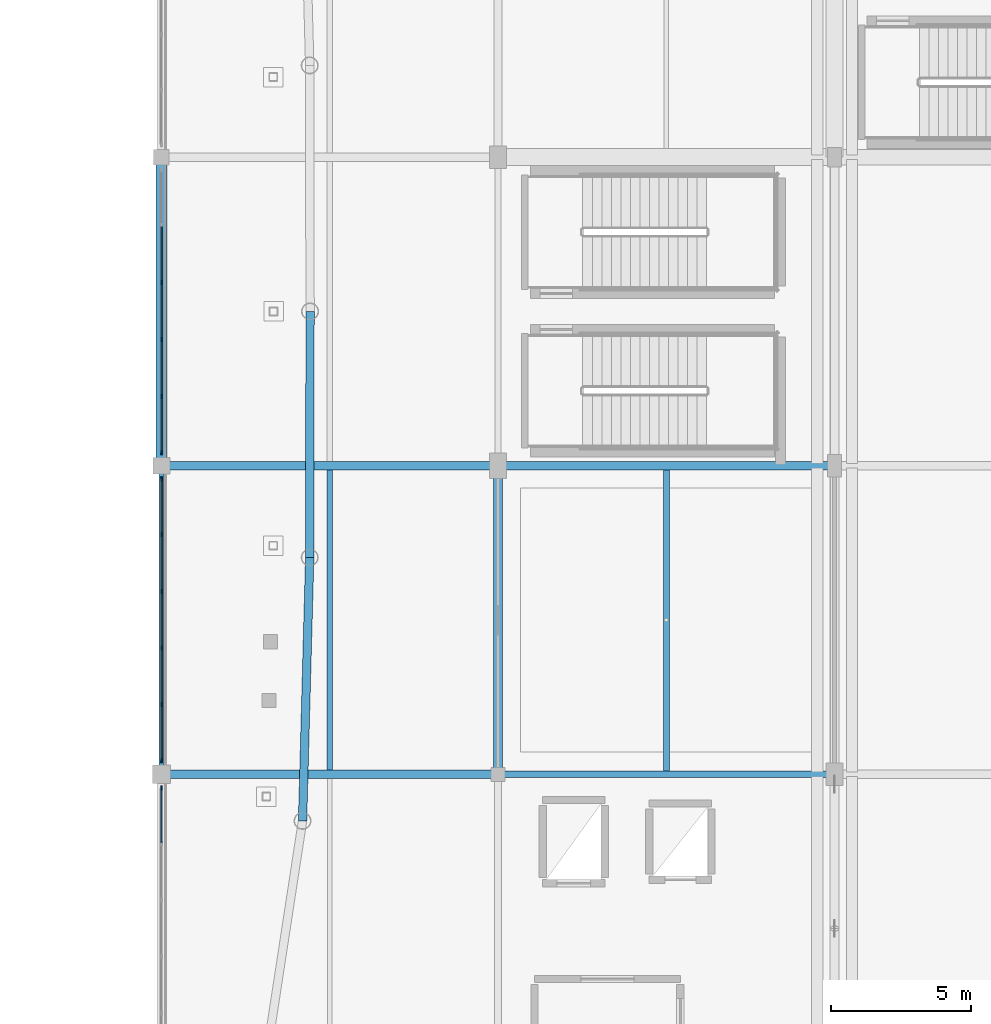
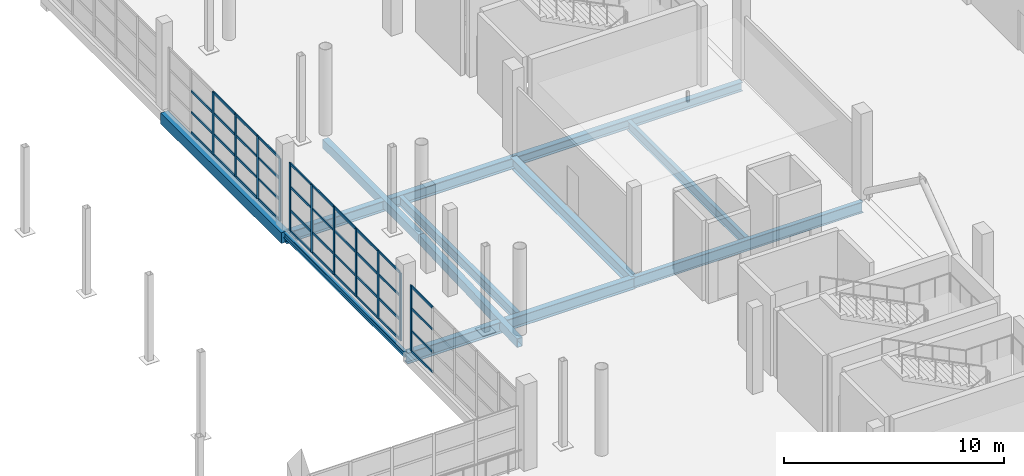
# One storey, part 59 of 143: 50 members, 11 beams, 3 elements without a shape of their own.
"""IFC4 building model written with IfcOpenShell, lengths in metres."""

from ifc_helpers import new_model, si_unit, direction, frame, origin, origin_2d, place, context, subcontext, project, spatial, rectangle, hollow_rectangle, i_section, extrude, material, material_profile, profile_set, type_object, element, aggregate, save


model = new_model("IFC4")

# Units and contexts
model_context = context("Model", 3, precision=1e-05, world=origin(), true_north=direction((0.0, 1.0)))
body_context = subcontext(model_context, "Body", "Model", "MODEL_VIEW")
ifc_project = project(units=[si_unit("LENGTHUNIT", "METRE"), si_unit("AREAUNIT", "SQUARE_METRE"), si_unit("VOLUMEUNIT", "CUBIC_METRE"), si_unit("PLANEANGLEUNIT", "RADIAN"), si_unit("MASSUNIT", "GRAM", prefix="KILO")], contexts=[model_context])

# Site, building, storey
site_placement = place(None, origin())
site = spatial("IfcSite", under=ifc_project, at=site_placement, CompositionType="ELEMENT")
building_placement = place(site_placement, origin())
building = spatial("IfcBuilding", under=site, at=building_placement, Name="Luwafu Chhajja Arena", CompositionType="ELEMENT")
storey_placement = place(building_placement, frame((0.0, 0.0, 5.39990234375)))
storey = spatial("IfcBuildingStorey", under=building, at=storey_placement, Name="L01", CompositionType="ELEMENT", Elevation=5.39990234375)

# Curtain wall, member
ifc_material_1 = material(Name="Anodised bronze aluminium", Category="aluminium")
curtain_wall_type = type_object("IfcCurtainWallType", Name="Bowl Concourse Chord Curtain Wall", PredefinedType="USERDEFINED", material=ifc_material_1)
curtain_wall_1_placement = place(storey_placement, origin())
curtain_wall_1 = element("IfcCurtainWall", 1, at=curtain_wall_1_placement, inside=storey, type_object=curtain_wall_type, Name="L01 Bowl Viewing Curtain Wall CWR-L01-20", ObjectType="CURTAIN WALL", PredefinedType="USERDEFINED")
ifc_material_profile_1 = material_profile(ifc_material_1, rectangle(XDim=0.06005859375, YDim=0.159912109375, at=origin_2d()), Name="CWM 60x160")
ifc_profile_set_1 = profile_set([ifc_material_profile_1], Name="Anodised bronze aluminium")
member_type_1 = type_object("IfcMemberType", Name="Bronze Curtain Wall Mullion 60x160", PredefinedType="MULLION", material=ifc_profile_set_1)
member_1_placement = place(storey_placement, frame((140.0, 32.5048828125, 0.0), z_axis=(0.0, 0.0, 1.0), x_axis=(-1.0, 0.0, 0.0)))
member_1 = element("IfcMember", 2, at=member_1_placement, type_object=member_type_1, Name="CW-01 mullion 6", PredefinedType="MULLION", context=body_context, shape_type="SweptSolid", body=[
    extrude(rectangle(XDim=0.06005859375, YDim=0.159912109375, at=origin_2d()), origin(), (0.0, 0.0, 1.0), 3.64013671875),
])

# Curtain wall, members
curtain_wall_2_placement = place(storey_placement, origin())
curtain_wall_2 = element("IfcCurtainWall", 3, at=curtain_wall_2_placement, inside=storey, type_object=curtain_wall_type, Name="L01 Bowl Viewing Curtain Wall CWR-L01-21", ObjectType="CURTAIN WALL", PredefinedType="USERDEFINED")
member_2_placement = place(storey_placement, frame((140.0, 33.4951171875, 0.0), z_axis=(0.0, 0.0, 1.0), x_axis=(-1.0, 0.0, 0.0)))
member_2 = element("IfcMember", 4, at=member_2_placement, type_object=member_type_1, Name="CW-01 mullion 1", PredefinedType="MULLION", context=body_context, shape_type="SweptSolid", body=[
    extrude(rectangle(XDim=0.06005859375, YDim=0.159912109375, at=origin_2d()), origin(), (0.0, 0.0, 1.0), 3.77783203125),
])
member_3_placement = place(storey_placement, frame((140.0, 35.48388671875, 0.0), z_axis=(0.0, 0.0, 1.0), x_axis=(-1.0, 0.0, 0.0)))
member_3 = element("IfcMember", 5, at=member_3_placement, type_object=member_type_1, Name="CW-01 mullion 2", PredefinedType="MULLION", context=body_context, shape_type="SweptSolid", body=[
    extrude(rectangle(XDim=0.06005859375, YDim=0.159912109375, at=origin_2d()), origin(), (0.0, 0.0, 1.0), 3.77783203125),
])
member_4_placement = place(storey_placement, frame((140.0, 37.5029296875, 0.0), z_axis=(0.0, 0.0, 1.0), x_axis=(-1.0, 0.0, 0.0)))
member_4 = element("IfcMember", 6, at=member_4_placement, type_object=member_type_1, Name="CW-01 mullion 3", PredefinedType="MULLION", context=body_context, shape_type="SweptSolid", body=[
    extrude(rectangle(XDim=0.06005859375, YDim=0.159912109375, at=origin_2d()), origin(), (0.0, 0.0, 1.0), 3.77783203125),
])
member_5_placement = place(storey_placement, frame((140.0, 39.52197265625, 0.0), z_axis=(0.0, 0.0, 1.0), x_axis=(-1.0, 0.0, 0.0)))
member_5 = element("IfcMember", 7, at=member_5_placement, type_object=member_type_1, Name="CW-01 mullion 4", PredefinedType="MULLION", context=body_context, shape_type="SweptSolid", body=[
    extrude(rectangle(XDim=0.06005859375, YDim=0.159912109375, at=origin_2d()), origin(), (0.0, 0.0, 1.0), 3.77783203125),
])
member_6_placement = place(storey_placement, frame((140.0, 41.541015625, 0.0), z_axis=(0.0, 0.0, 1.0), x_axis=(-1.0, 0.0, 0.0)))
member_6 = element("IfcMember", 8, at=member_6_placement, type_object=member_type_1, Name="CW-01 mullion 5", PredefinedType="MULLION", context=body_context, shape_type="SweptSolid", body=[
    extrude(rectangle(XDim=0.06005859375, YDim=0.159912109375, at=origin_2d()), origin(), (0.0, 0.0, 1.0), 3.77783203125),
])
member_7_placement = place(storey_placement, frame((140.0, 43.530029296875, 0.0), z_axis=(0.0, 0.0, 1.0), x_axis=(-1.0, 0.0, 0.0)))
member_7 = element("IfcMember", 9, at=member_7_placement, type_object=member_type_1, Name="CW-01 mullion 6", PredefinedType="MULLION", context=body_context, shape_type="SweptSolid", body=[
    extrude(rectangle(XDim=0.06005859375, YDim=0.159912109375, at=origin_2d()), origin(), (0.0, 0.0, 1.0), 3.77783203125),
])

curtain_wall_3_placement = place(storey_placement, origin())
curtain_wall_3 = element("IfcCurtainWall", 10, at=curtain_wall_3_placement, inside=storey, type_object=curtain_wall_type, Name="L01 Bowl Viewing Curtain Wall CWR-L01-22", ObjectType="CURTAIN WALL", PredefinedType="USERDEFINED")
member_8_placement = place(storey_placement, frame((140.0, 44.469970703125, 0.0), z_axis=(0.0, 0.0, 1.0), x_axis=(-1.0, 0.0, 0.0)))
member_8 = element("IfcMember", 11, at=member_8_placement, type_object=member_type_1, Name="CW-01 mullion 1", PredefinedType="MULLION", context=body_context, shape_type="SweptSolid", body=[
    extrude(rectangle(XDim=0.06005859375, YDim=0.159912109375, at=origin_2d()), origin(), (0.0, 0.0, 1.0), 3.489990234375),
])
member_9_placement = place(storey_placement, frame((140.0, 46.468994140625, 0.0), z_axis=(0.0, 0.0, 1.0), x_axis=(-1.0, 0.0, 0.0)))
member_9 = element("IfcMember", 12, at=member_9_placement, type_object=member_type_1, Name="CW-01 mullion 2", PredefinedType="MULLION", context=body_context, shape_type="SweptSolid", body=[
    extrude(rectangle(XDim=0.06005859375, YDim=0.159912109375, at=origin_2d()), origin(), (0.0, 0.0, 1.0), 3.489990234375),
])
member_10_placement = place(storey_placement, frame((140.0, 48.498046875, 0.0), z_axis=(0.0, 0.0, 1.0), x_axis=(-1.0, 0.0, 0.0)))
member_10 = element("IfcMember", 13, at=member_10_placement, type_object=member_type_1, Name="CW-01 mullion 3", PredefinedType="MULLION", context=body_context, shape_type="SweptSolid", body=[
    extrude(rectangle(XDim=0.06005859375, YDim=0.159912109375, at=origin_2d()), origin(), (0.0, 0.0, 1.0), 3.489990234375),
])
member_11_placement = place(storey_placement, frame((140.0, 50.527099609375, 0.0), z_axis=(0.0, 0.0, 1.0), x_axis=(-1.0, 0.0, 0.0)))
member_11 = element("IfcMember", 14, at=member_11_placement, type_object=member_type_1, Name="CW-01 mullion 4", PredefinedType="MULLION", context=body_context, shape_type="SweptSolid", body=[
    extrude(rectangle(XDim=0.06005859375, YDim=0.159912109375, at=origin_2d()), origin(), (0.0, 0.0, 1.0), 3.489990234375),
])

# Member
ifc_material_profile_2 = material_profile(ifc_material_1, rectangle(XDim=0.06005859375, YDim=0.1298828125, at=origin_2d()), Name="CWT 60x130")
ifc_profile_set_2 = profile_set([ifc_material_profile_2], Name="Anodised bronze aluminium")
member_type_2 = type_object("IfcMemberType", Name="Bronze Curtain Wall Transom 60x130", PredefinedType="USERDEFINED", material=ifc_profile_set_2)
member_12_placement = place(storey_placement, frame((140.0, 30.555908203125, 0.030029296875), z_axis=(0.0, 1.0, 0.0), x_axis=(-1.0, 0.0, 0.0)))
member_12 = element("IfcMember", 15, at=member_12_placement, type_object=member_type_2, Name="CW-01 transom 5.1", ObjectType="TRANSOM", PredefinedType="USERDEFINED", context=body_context, shape_type="SweptSolid", body=[
    extrude(rectangle(XDim=0.06005859375, YDim=0.1298828125, at=origin_2d()), origin(), (0.0, 0.0, 1.0), 1.919189453125),
])

member_13_placement = place(storey_placement, frame((140.0, 30.555908203125, 1.150146484375), z_axis=(0.0, 1.0, 0.0), x_axis=(-1.0, 0.0, 0.0)))
member_13 = element("IfcMember", 16, at=member_13_placement, type_object=member_type_2, Name="CW-01 transom 5.2", ObjectType="TRANSOM", PredefinedType="USERDEFINED", context=body_context, shape_type="SweptSolid", body=[
    extrude(rectangle(XDim=0.06005859375, YDim=0.1298828125, at=origin_2d()), origin(), (0.0, 0.0, 1.0), 1.919189453125),
])

member_14_placement = place(storey_placement, frame((140.0, 30.555908203125, 2.39501953125), z_axis=(0.0, 1.0, 0.0), x_axis=(-1.0, 0.0, 0.0)))
member_14 = element("IfcMember", 17, at=member_14_placement, type_object=member_type_2, Name="CW-01 transom 5.3", ObjectType="TRANSOM", PredefinedType="USERDEFINED", context=body_context, shape_type="SweptSolid", body=[
    extrude(rectangle(XDim=0.06005859375, YDim=0.1298828125, at=origin_2d()), origin(), (0.0, 0.0, 1.0), 1.919189453125),
])

member_15_placement = place(storey_placement, frame((140.0, 30.555908203125, 3.610107421875), z_axis=(0.0, 1.0, 0.0), x_axis=(-1.0, 0.0, 0.0)))
member_15 = element("IfcMember", 18, at=member_15_placement, type_object=member_type_2, Name="CW-01 transom 5.4", ObjectType="TRANSOM", PredefinedType="USERDEFINED", context=body_context, shape_type="SweptSolid", body=[
    extrude(rectangle(XDim=0.06005859375, YDim=0.1298828125, at=origin_2d()), origin(), (0.0, 0.0, 1.0), 1.919189453125),
])

aggregate(curtain_wall_1, [member_1, member_12, member_13, member_14, member_15])

member_16_placement = place(storey_placement, frame((140.0, 33.52490234375, 0.030029296875), z_axis=(0.0, 1.0, 0.0), x_axis=(-1.0, 0.0, 0.0)))
member_16 = element("IfcMember", 19, at=member_16_placement, type_object=member_type_2, Name="CW-01 transom 1.1", ObjectType="TRANSOM", PredefinedType="USERDEFINED", context=body_context, shape_type="SweptSolid", body=[
    extrude(rectangle(XDim=0.06005859375, YDim=0.1298828125, at=origin_2d()), origin(), (0.0, 0.0, 1.0), 1.92919921875),
])

member_17_placement = place(storey_placement, frame((140.0, 33.52490234375, 1.150146484375), z_axis=(0.0, 1.0, 0.0), x_axis=(-1.0, 0.0, 0.0)))
member_17 = element("IfcMember", 20, at=member_17_placement, type_object=member_type_2, Name="CW-01 transom 1.2", ObjectType="TRANSOM", PredefinedType="USERDEFINED", context=body_context, shape_type="SweptSolid", body=[
    extrude(rectangle(XDim=0.06005859375, YDim=0.1298828125, at=origin_2d()), origin(), (0.0, 0.0, 1.0), 1.92919921875),
])

member_18_placement = place(storey_placement, frame((140.0, 33.52490234375, 2.464111328125), z_axis=(0.0, 1.0, 0.0), x_axis=(-1.0, 0.0, 0.0)))
member_18 = element("IfcMember", 21, at=member_18_placement, type_object=member_type_2, Name="CW-01 transom 1.3", ObjectType="TRANSOM", PredefinedType="USERDEFINED", context=body_context, shape_type="SweptSolid", body=[
    extrude(rectangle(XDim=0.06005859375, YDim=0.1298828125, at=origin_2d()), origin(), (0.0, 0.0, 1.0), 1.92919921875),
])

member_19_placement = place(storey_placement, frame((140.0, 33.52490234375, 3.747802734375), z_axis=(0.0, 1.0, 0.0), x_axis=(-1.0, 0.0, 0.0)))
member_19 = element("IfcMember", 22, at=member_19_placement, type_object=member_type_2, Name="CW-01 transom 1.4", ObjectType="TRANSOM", PredefinedType="USERDEFINED", context=body_context, shape_type="SweptSolid", body=[
    extrude(rectangle(XDim=0.06005859375, YDim=0.1298828125, at=origin_2d()), origin(), (0.0, 0.0, 1.0), 1.92919921875),
])

member_20_placement = place(storey_placement, frame((140.0, 35.513916015625, 0.030029296875), z_axis=(0.0, 1.0, 0.0), x_axis=(-1.0, 0.0, 0.0)))
member_20 = element("IfcMember", 23, at=member_20_placement, type_object=member_type_2, Name="CW-01 transom 2.1", ObjectType="TRANSOM", PredefinedType="USERDEFINED", context=body_context, shape_type="SweptSolid", body=[
    extrude(rectangle(XDim=0.06005859375, YDim=0.1298828125, at=origin_2d()), origin(), (0.0, 0.0, 1.0), 1.958984375),
])

member_21_placement = place(storey_placement, frame((140.0, 35.513916015625, 1.150146484375), z_axis=(0.0, 1.0, 0.0), x_axis=(-1.0, 0.0, 0.0)))
member_21 = element("IfcMember", 24, at=member_21_placement, type_object=member_type_2, Name="CW-01 transom 2.2", ObjectType="TRANSOM", PredefinedType="USERDEFINED", context=body_context, shape_type="SweptSolid", body=[
    extrude(rectangle(XDim=0.06005859375, YDim=0.1298828125, at=origin_2d()), origin(), (0.0, 0.0, 1.0), 1.958984375),
])

member_22_placement = place(storey_placement, frame((140.0, 35.513916015625, 2.464111328125), z_axis=(0.0, 1.0, 0.0), x_axis=(-1.0, 0.0, 0.0)))
member_22 = element("IfcMember", 25, at=member_22_placement, type_object=member_type_2, Name="CW-01 transom 2.3", ObjectType="TRANSOM", PredefinedType="USERDEFINED", context=body_context, shape_type="SweptSolid", body=[
    extrude(rectangle(XDim=0.06005859375, YDim=0.1298828125, at=origin_2d()), origin(), (0.0, 0.0, 1.0), 1.958984375),
])

member_23_placement = place(storey_placement, frame((140.0, 35.513916015625, 3.747802734375), z_axis=(0.0, 1.0, 0.0), x_axis=(-1.0, 0.0, 0.0)))
member_23 = element("IfcMember", 26, at=member_23_placement, type_object=member_type_2, Name="CW-01 transom 2.4", ObjectType="TRANSOM", PredefinedType="USERDEFINED", context=body_context, shape_type="SweptSolid", body=[
    extrude(rectangle(XDim=0.06005859375, YDim=0.1298828125, at=origin_2d()), origin(), (0.0, 0.0, 1.0), 1.958984375),
])

member_24_placement = place(storey_placement, frame((140.0, 37.532958984375, 0.030029296875), z_axis=(0.0, 1.0, 0.0), x_axis=(-1.0, 0.0, 0.0)))
member_24 = element("IfcMember", 27, at=member_24_placement, type_object=member_type_2, Name="CW-01 transom 3.1", ObjectType="TRANSOM", PredefinedType="USERDEFINED", context=body_context, shape_type="SweptSolid", body=[
    extrude(rectangle(XDim=0.06005859375, YDim=0.1298828125, at=origin_2d()), origin(), (0.0, 0.0, 1.0), 1.958984375),
])

member_25_placement = place(storey_placement, frame((140.0, 37.532958984375, 1.150146484375), z_axis=(0.0, 1.0, 0.0), x_axis=(-1.0, 0.0, 0.0)))
member_25 = element("IfcMember", 28, at=member_25_placement, type_object=member_type_2, Name="CW-01 transom 3.2", ObjectType="TRANSOM", PredefinedType="USERDEFINED", context=body_context, shape_type="SweptSolid", body=[
    extrude(rectangle(XDim=0.06005859375, YDim=0.1298828125, at=origin_2d()), origin(), (0.0, 0.0, 1.0), 1.958984375),
])

member_26_placement = place(storey_placement, frame((140.0, 37.532958984375, 2.464111328125), z_axis=(0.0, 1.0, 0.0), x_axis=(-1.0, 0.0, 0.0)))
member_26 = element("IfcMember", 29, at=member_26_placement, type_object=member_type_2, Name="CW-01 transom 3.3", ObjectType="TRANSOM", PredefinedType="USERDEFINED", context=body_context, shape_type="SweptSolid", body=[
    extrude(rectangle(XDim=0.06005859375, YDim=0.1298828125, at=origin_2d()), origin(), (0.0, 0.0, 1.0), 1.958984375),
])

member_27_placement = place(storey_placement, frame((140.0, 37.532958984375, 3.747802734375), z_axis=(0.0, 1.0, 0.0), x_axis=(-1.0, 0.0, 0.0)))
member_27 = element("IfcMember", 30, at=member_27_placement, type_object=member_type_2, Name="CW-01 transom 3.4", ObjectType="TRANSOM", PredefinedType="USERDEFINED", context=body_context, shape_type="SweptSolid", body=[
    extrude(rectangle(XDim=0.06005859375, YDim=0.1298828125, at=origin_2d()), origin(), (0.0, 0.0, 1.0), 1.958984375),
])

member_28_placement = place(storey_placement, frame((140.0, 39.552001953125, 0.030029296875), z_axis=(0.0, 1.0, 0.0), x_axis=(-1.0, 0.0, 0.0)))
member_28 = element("IfcMember", 31, at=member_28_placement, type_object=member_type_2, Name="CW-01 transom 4.1", ObjectType="TRANSOM", PredefinedType="USERDEFINED", context=body_context, shape_type="SweptSolid", body=[
    extrude(rectangle(XDim=0.06005859375, YDim=0.1298828125, at=origin_2d()), origin(), (0.0, 0.0, 1.0), 1.958984375),
])

member_29_placement = place(storey_placement, frame((140.0, 39.552001953125, 1.150146484375), z_axis=(0.0, 1.0, 0.0), x_axis=(-1.0, 0.0, 0.0)))
member_29 = element("IfcMember", 32, at=member_29_placement, type_object=member_type_2, Name="CW-01 transom 4.2", ObjectType="TRANSOM", PredefinedType="USERDEFINED", context=body_context, shape_type="SweptSolid", body=[
    extrude(rectangle(XDim=0.06005859375, YDim=0.1298828125, at=origin_2d()), origin(), (0.0, 0.0, 1.0), 1.958984375),
])

member_30_placement = place(storey_placement, frame((140.0, 39.552001953125, 2.464111328125), z_axis=(0.0, 1.0, 0.0), x_axis=(-1.0, 0.0, 0.0)))
member_30 = element("IfcMember", 33, at=member_30_placement, type_object=member_type_2, Name="CW-01 transom 4.3", ObjectType="TRANSOM", PredefinedType="USERDEFINED", context=body_context, shape_type="SweptSolid", body=[
    extrude(rectangle(XDim=0.06005859375, YDim=0.1298828125, at=origin_2d()), origin(), (0.0, 0.0, 1.0), 1.958984375),
])

member_31_placement = place(storey_placement, frame((140.0, 39.552001953125, 3.747802734375), z_axis=(0.0, 1.0, 0.0), x_axis=(-1.0, 0.0, 0.0)))
member_31 = element("IfcMember", 34, at=member_31_placement, type_object=member_type_2, Name="CW-01 transom 4.4", ObjectType="TRANSOM", PredefinedType="USERDEFINED", context=body_context, shape_type="SweptSolid", body=[
    extrude(rectangle(XDim=0.06005859375, YDim=0.1298828125, at=origin_2d()), origin(), (0.0, 0.0, 1.0), 1.958984375),
])

member_32_placement = place(storey_placement, frame((140.0, 41.571044921875, 0.030029296875), z_axis=(0.0, 1.0, 0.0), x_axis=(-1.0, 0.0, 0.0)))
member_32 = element("IfcMember", 35, at=member_32_placement, type_object=member_type_2, Name="CW-01 transom 5.1", ObjectType="TRANSOM", PredefinedType="USERDEFINED", context=body_context, shape_type="SweptSolid", body=[
    extrude(rectangle(XDim=0.06005859375, YDim=0.1298828125, at=origin_2d()), origin(), (0.0, 0.0, 1.0), 1.928955078125),
])

member_33_placement = place(storey_placement, frame((140.0, 41.571044921875, 1.150146484375), z_axis=(0.0, 1.0, 0.0), x_axis=(-1.0, 0.0, 0.0)))
member_33 = element("IfcMember", 36, at=member_33_placement, type_object=member_type_2, Name="CW-01 transom 5.2", ObjectType="TRANSOM", PredefinedType="USERDEFINED", context=body_context, shape_type="SweptSolid", body=[
    extrude(rectangle(XDim=0.06005859375, YDim=0.1298828125, at=origin_2d()), origin(), (0.0, 0.0, 1.0), 1.928955078125),
])

member_34_placement = place(storey_placement, frame((140.0, 41.571044921875, 2.464111328125), z_axis=(0.0, 1.0, 0.0), x_axis=(-1.0, 0.0, 0.0)))
member_34 = element("IfcMember", 37, at=member_34_placement, type_object=member_type_2, Name="CW-01 transom 5.3", ObjectType="TRANSOM", PredefinedType="USERDEFINED", context=body_context, shape_type="SweptSolid", body=[
    extrude(rectangle(XDim=0.06005859375, YDim=0.1298828125, at=origin_2d()), origin(), (0.0, 0.0, 1.0), 1.928955078125),
])

member_35_placement = place(storey_placement, frame((140.0, 41.571044921875, 3.747802734375), z_axis=(0.0, 1.0, 0.0), x_axis=(-1.0, 0.0, 0.0)))
member_35 = element("IfcMember", 38, at=member_35_placement, type_object=member_type_2, Name="CW-01 transom 5.4", ObjectType="TRANSOM", PredefinedType="USERDEFINED", context=body_context, shape_type="SweptSolid", body=[
    extrude(rectangle(XDim=0.06005859375, YDim=0.1298828125, at=origin_2d()), origin(), (0.0, 0.0, 1.0), 1.928955078125),
])

aggregate(curtain_wall_2, [member_2, member_3, member_4, member_5, member_6, member_7, member_16, member_17, member_18, member_19, member_20, member_21, member_22, member_23, member_24, member_25, member_26, member_27, member_28, member_29, member_30, member_31, member_32, member_33, member_34, member_35])

member_36_placement = place(storey_placement, frame((140.0, 44.5, 0.030029296875), z_axis=(0.0, 1.0, 0.0), x_axis=(-1.0, 0.0, 0.0)))
member_36 = element("IfcMember", 39, at=member_36_placement, type_object=member_type_2, Name="CW-01 transom 1.1", ObjectType="TRANSOM", PredefinedType="USERDEFINED", context=body_context, shape_type="SweptSolid", body=[
    extrude(rectangle(XDim=0.06005859375, YDim=0.1298828125, at=origin_2d()), origin(), (0.0, 0.0, 1.0), 1.93896484375),
])

member_37_placement = place(storey_placement, frame((140.0, 44.5, 1.150146484375), z_axis=(0.0, 1.0, 0.0), x_axis=(-1.0, 0.0, 0.0)))
member_37 = element("IfcMember", 40, at=member_37_placement, type_object=member_type_2, Name="CW-01 transom 1.2", ObjectType="TRANSOM", PredefinedType="USERDEFINED", context=body_context, shape_type="SweptSolid", body=[
    extrude(rectangle(XDim=0.06005859375, YDim=0.1298828125, at=origin_2d()), origin(), (0.0, 0.0, 1.0), 1.93896484375),
])

member_38_placement = place(storey_placement, frame((140.0, 44.5, 2.320068359375), z_axis=(0.0, 1.0, 0.0), x_axis=(-1.0, 0.0, 0.0)))
member_38 = element("IfcMember", 41, at=member_38_placement, type_object=member_type_2, Name="CW-01 transom 1.3", ObjectType="TRANSOM", PredefinedType="USERDEFINED", context=body_context, shape_type="SweptSolid", body=[
    extrude(rectangle(XDim=0.06005859375, YDim=0.1298828125, at=origin_2d()), origin(), (0.0, 0.0, 1.0), 1.93896484375),
])

member_39_placement = place(storey_placement, frame((140.0, 44.5, 3.460205078125), z_axis=(0.0, 1.0, 0.0), x_axis=(-1.0, 0.0, 0.0)))
member_39 = element("IfcMember", 42, at=member_39_placement, type_object=member_type_2, Name="CW-01 transom 1.4", ObjectType="TRANSOM", PredefinedType="USERDEFINED", context=body_context, shape_type="SweptSolid", body=[
    extrude(rectangle(XDim=0.06005859375, YDim=0.1298828125, at=origin_2d()), origin(), (0.0, 0.0, 1.0), 1.93896484375),
])

member_40_placement = place(storey_placement, frame((140.0, 46.4990234375, 0.030029296875), z_axis=(0.0, 1.0, 0.0), x_axis=(-1.0, 0.0, 0.0)))
member_40 = element("IfcMember", 43, at=member_40_placement, type_object=member_type_2, Name="CW-01 transom 2.1", ObjectType="TRANSOM", PredefinedType="USERDEFINED", context=body_context, shape_type="SweptSolid", body=[
    extrude(rectangle(XDim=0.06005859375, YDim=0.1298828125, at=origin_2d()), origin(), (0.0, 0.0, 1.0), 1.968994140625),
])

member_41_placement = place(storey_placement, frame((140.0, 46.4990234375, 1.150146484375), z_axis=(0.0, 1.0, 0.0), x_axis=(-1.0, 0.0, 0.0)))
member_41 = element("IfcMember", 44, at=member_41_placement, type_object=member_type_2, Name="CW-01 transom 2.2", ObjectType="TRANSOM", PredefinedType="USERDEFINED", context=body_context, shape_type="SweptSolid", body=[
    extrude(rectangle(XDim=0.06005859375, YDim=0.1298828125, at=origin_2d()), origin(), (0.0, 0.0, 1.0), 1.968994140625),
])

member_42_placement = place(storey_placement, frame((140.0, 46.4990234375, 2.320068359375), z_axis=(0.0, 1.0, 0.0), x_axis=(-1.0, 0.0, 0.0)))
member_42 = element("IfcMember", 45, at=member_42_placement, type_object=member_type_2, Name="CW-01 transom 2.3", ObjectType="TRANSOM", PredefinedType="USERDEFINED", context=body_context, shape_type="SweptSolid", body=[
    extrude(rectangle(XDim=0.06005859375, YDim=0.1298828125, at=origin_2d()), origin(), (0.0, 0.0, 1.0), 1.968994140625),
])

member_43_placement = place(storey_placement, frame((140.0, 46.4990234375, 3.460205078125), z_axis=(0.0, 1.0, 0.0), x_axis=(-1.0, 0.0, 0.0)))
member_43 = element("IfcMember", 46, at=member_43_placement, type_object=member_type_2, Name="CW-01 transom 2.4", ObjectType="TRANSOM", PredefinedType="USERDEFINED", context=body_context, shape_type="SweptSolid", body=[
    extrude(rectangle(XDim=0.06005859375, YDim=0.1298828125, at=origin_2d()), origin(), (0.0, 0.0, 1.0), 1.968994140625),
])

member_44_placement = place(storey_placement, frame((140.0, 48.528076171875, 0.030029296875), z_axis=(0.0, 1.0, 0.0), x_axis=(-1.0, 0.0, 0.0)))
member_44 = element("IfcMember", 47, at=member_44_placement, type_object=member_type_2, Name="CW-01 transom 3.1", ObjectType="TRANSOM", PredefinedType="USERDEFINED", context=body_context, shape_type="SweptSolid", body=[
    extrude(rectangle(XDim=0.06005859375, YDim=0.1298828125, at=origin_2d()), origin(), (0.0, 0.0, 1.0), 1.968994140625),
])

member_45_placement = place(storey_placement, frame((140.0, 48.528076171875, 1.150146484375), z_axis=(0.0, 1.0, 0.0), x_axis=(-1.0, 0.0, 0.0)))
member_45 = element("IfcMember", 48, at=member_45_placement, type_object=member_type_2, Name="CW-01 transom 3.2", ObjectType="TRANSOM", PredefinedType="USERDEFINED", context=body_context, shape_type="SweptSolid", body=[
    extrude(rectangle(XDim=0.06005859375, YDim=0.1298828125, at=origin_2d()), origin(), (0.0, 0.0, 1.0), 1.968994140625),
])

member_46_placement = place(storey_placement, frame((140.0, 48.528076171875, 2.320068359375), z_axis=(0.0, 1.0, 0.0), x_axis=(-1.0, 0.0, 0.0)))
member_46 = element("IfcMember", 49, at=member_46_placement, type_object=member_type_2, Name="CW-01 transom 3.3", ObjectType="TRANSOM", PredefinedType="USERDEFINED", context=body_context, shape_type="SweptSolid", body=[
    extrude(rectangle(XDim=0.06005859375, YDim=0.1298828125, at=origin_2d()), origin(), (0.0, 0.0, 1.0), 1.968994140625),
])

member_47_placement = place(storey_placement, frame((140.0, 48.528076171875, 3.460205078125), z_axis=(0.0, 1.0, 0.0), x_axis=(-1.0, 0.0, 0.0)))
member_47 = element("IfcMember", 50, at=member_47_placement, type_object=member_type_2, Name="CW-01 transom 3.4", ObjectType="TRANSOM", PredefinedType="USERDEFINED", context=body_context, shape_type="SweptSolid", body=[
    extrude(rectangle(XDim=0.06005859375, YDim=0.1298828125, at=origin_2d()), origin(), (0.0, 0.0, 1.0), 1.968994140625),
])

member_48_placement = place(storey_placement, frame((140.0, 50.556884765625, 0.030029296875), z_axis=(0.0, 1.0, 0.0), x_axis=(-1.0, 0.0, 0.0)))
member_48 = element("IfcMember", 51, at=member_48_placement, type_object=member_type_2, Name="CW-01 transom 4.1", ObjectType="TRANSOM", PredefinedType="USERDEFINED", context=body_context, shape_type="SweptSolid", body=[
    extrude(rectangle(XDim=0.06005859375, YDim=0.1298828125, at=origin_2d()), origin(), (0.0, 0.0, 1.0), 1.968994140625),
])

member_49_placement = place(storey_placement, frame((140.0, 50.556884765625, 1.150146484375), z_axis=(0.0, 1.0, 0.0), x_axis=(-1.0, 0.0, 0.0)))
member_49 = element("IfcMember", 52, at=member_49_placement, type_object=member_type_2, Name="CW-01 transom 4.2", ObjectType="TRANSOM", PredefinedType="USERDEFINED", context=body_context, shape_type="SweptSolid", body=[
    extrude(rectangle(XDim=0.06005859375, YDim=0.1298828125, at=origin_2d()), origin(), (0.0, 0.0, 1.0), 1.968994140625),
])

member_50_placement = place(storey_placement, frame((140.0, 50.556884765625, 2.320068359375), z_axis=(0.0, 1.0, 0.0), x_axis=(-1.0, 0.0, 0.0)))
member_50 = element("IfcMember", 53, at=member_50_placement, type_object=member_type_2, Name="CW-01 transom 4.3", ObjectType="TRANSOM", PredefinedType="USERDEFINED", context=body_context, shape_type="SweptSolid", body=[
    extrude(rectangle(XDim=0.06005859375, YDim=0.1298828125, at=origin_2d()), origin(), (0.0, 0.0, 1.0), 1.968994140625),
])

aggregate(curtain_wall_3, [member_8, member_9, member_10, member_11, member_36, member_37, member_38, member_39, member_40, member_41, member_42, member_43, member_44, member_45, member_46, member_47, member_48, member_49, member_50])

# Beams
ifc_material_2 = material(Name="Steel S355", Category="steel")
ifc_material_profile_3 = material_profile(ifc_material_2, i_section(OverallWidth=0.165771484375, OverallDepth=0.306640625, WebThickness=0.006591796875, FlangeThickness=0.01171875, at=origin_2d()), Name="UB 305x165x46")
ifc_profile_set_3 = profile_set([ifc_material_profile_3], Name="Steel S355")
beam_type_1 = type_object("IfcBeamType", Name="Concourse Edge Spandrel Beam UB 305x165x46", PredefinedType="SPANDREL", material=ifc_profile_set_3)
beam_1_placement = place(storey_placement, frame((140.0, 33.0, -0.483154296875), z_axis=(0.0, 1.0, 0.0), x_axis=(-1.0, 0.0, 0.0)))
element("IfcBeam", 54, at=beam_1_placement, inside=storey, type_object=beam_type_1, Name="L01 Grid Beam 13/D-E", PredefinedType="SPANDREL", context=body_context, shape_type="SweptSolid", body=[
    extrude(i_section(OverallWidth=0.165771484375, OverallDepth=0.306640625, WebThickness=0.006591796875, FlangeThickness=0.01171875, at=origin_2d()), origin(), (0.0, 0.0, 1.0), 11.0),
])
ifc_material_profile_4 = material_profile(ifc_material_2, i_section(OverallWidth=0.2099609375, OverallDepth=0.53662109375, WebThickness=0.0107421875, FlangeThickness=0.017333984375, at=origin_2d()), Name="UB 533x210x101")
ifc_profile_set_4 = profile_set([ifc_material_profile_4], Name="Steel S355")
beam_type_2 = type_object("IfcBeamType", Name="Floor Joist UB 533x210x101", PredefinedType="JOIST", material=ifc_profile_set_4)
beam_2_placement = place(storey_placement, frame((146.0, 33.153564453125, -0.59814453125), z_axis=(0.0, 1.0, 0.0), x_axis=(-1.0, 0.0, 0.0)))
element("IfcBeam", 55, at=beam_2_placement, inside=storey, type_object=beam_type_2, Name="L01 Secondary Joist 13-14/D", PredefinedType="JOIST", context=body_context, shape_type="SweptSolid", body=[
    extrude(i_section(OverallWidth=0.2099609375, OverallDepth=0.53662109375, WebThickness=0.0107421875, FlangeThickness=0.017333984375, at=origin_2d()), origin(), (0.0, 0.0, 1.0), 10.696533203125),
])
ifc_material_profile_5 = material_profile(ifc_material_2, i_section(OverallWidth=0.209228515625, OverallDepth=0.533203125, WebThickness=0.010009765625, FlangeThickness=0.015625, at=origin_2d()), Name="UB 533x210x92")
ifc_profile_set_5 = profile_set([ifc_material_profile_5], Name="Steel S355")
beam_type_3 = type_object("IfcBeamType", Name="Floor Joist UB 533x210x92", PredefinedType="JOIST", material=ifc_profile_set_5)
beam_3_placement = place(storey_placement, frame((158.0, 33.114501953125, -0.596435546875), z_axis=(0.0, 1.0, 0.0), x_axis=(-1.0, 0.0, 0.0)))
element("IfcBeam", 56, at=beam_3_placement, inside=storey, type_object=beam_type_3, Name="L01 Secondary Joist 14-15/D", PredefinedType="JOIST", context=body_context, shape_type="SweptSolid", body=[
    extrude(i_section(OverallWidth=0.209228515625, OverallDepth=0.533203125, WebThickness=0.010009765625, FlangeThickness=0.015625, at=origin_2d()), origin(), (0.0, 0.0, 1.0), 10.735595703125),
])
ifc_material_profile_6 = material_profile(ifc_material_2, hollow_rectangle(XDim=0.300048828125, YDim=0.5, WallThickness=0.02001953125, at=origin_2d()), Name="RHS 500x300x20")
ifc_profile_set_6 = profile_set([ifc_material_profile_6], Name="Steel S355")
beam_type_4 = type_object("IfcBeamType", Name="Pleated Drum Spandrel Beam RHS 500x300", PredefinedType="SPANDREL", material=ifc_profile_set_6)
beam_4_placement = place(storey_placement, frame((145.031982421875, 31.3388671875, -0.579833984375), z_axis=(0.02720805866, 0.999629792245, 0.0), x_axis=(-0.999629792245, 0.02720805866, 0.0)))
element("IfcBeam", 57, at=beam_4_placement, inside=storey, type_object=beam_type_4, Name="L01 Drum Ring Spandrel D31-D32", PredefinedType="SPANDREL", context=body_context, shape_type="SweptSolid", body=[
    extrude(hollow_rectangle(XDim=0.300048828125, YDim=0.5, WallThickness=0.02001953125, at=origin_2d()), origin(), (0.0, 0.0, 1.0), 9.394775390625),
])
beam_5_placement = place(storey_placement, frame((145.28759765625, 40.730224609375, -0.579833984375), z_axis=(0.001419780869, 0.999998992111, 0.0), x_axis=(-0.999998992111, 0.001419780869, 0.0)))
element("IfcBeam", 58, at=beam_5_placement, inside=storey, type_object=beam_type_4, Name="L01 Drum Ring Spandrel D32-D01", PredefinedType="SPANDREL", context=body_context, shape_type="SweptSolid", body=[
    extrude(hollow_rectangle(XDim=0.300048828125, YDim=0.5, WallThickness=0.02001953125, at=origin_2d()), origin(), (0.0, 0.0, 1.0), 8.769775390625),
])
ifc_material_3 = material(Name="Concrete C35/45", Category="concrete")
ifc_material_profile_7 = material_profile(ifc_material_3, rectangle(XDim=0.39990234375, YDim=0.60009765625, at=origin_2d()), Name="RC 400x600")
ifc_profile_set_7 = profile_set([ifc_material_profile_7], Name="Concrete C35/45")
beam_type_5 = type_object("IfcBeamType", Name="Podium Perimeter Spandrel RC 400x600", PredefinedType="SPANDREL", material=ifc_profile_set_7)
beam_6_placement = place(storey_placement, frame((140.0, 44.0, -0.6298828125), z_axis=(0.0, 1.0, 0.0), x_axis=(-1.0, 0.0, 0.0)))
element("IfcBeam", 59, at=beam_6_placement, inside=storey, type_object=beam_type_5, Name="L01 Grid Beam 13/E-F", PredefinedType="SPANDREL", context=body_context, shape_type="SweptSolid", body=[
    extrude(rectangle(XDim=0.39990234375, YDim=0.60009765625, at=origin_2d()), origin(), (0.0, 0.0, 1.0), 11.0),
])
ifc_material_profile_8 = material_profile(ifc_material_2, i_section(OverallWidth=0.300048828125, OverallDepth=0.5, WebThickness=0.014404296875, FlangeThickness=0.028076171875, at=origin_2d()), Name="HEB 500")
ifc_profile_set_8 = profile_set([ifc_material_profile_8], Name="Steel S355")
beam_type_6 = type_object("IfcBeamType", Name="Steel Atrium Tie Girder HEB 500", PredefinedType="BEAM", material=ifc_profile_set_8)
beam_7_placement = place(storey_placement, frame((152.0, 44.0, -0.579833984375), z_axis=(1.0, 0.0, 0.0), x_axis=(0.0, 1.0, 0.0)))
element("IfcBeam", 60, at=beam_7_placement, inside=storey, type_object=beam_type_6, Name="L01 Grid Beam 14-15/E", PredefinedType="BEAM", context=body_context, shape_type="SweptSolid", body=[
    extrude(i_section(OverallWidth=0.300048828125, OverallDepth=0.5, WebThickness=0.014404296875, FlangeThickness=0.028076171875, at=origin_2d()), origin(), (0.0, 0.0, 1.0), 12.0),
])
ifc_material_profile_9 = material_profile(ifc_material_2, i_section(OverallWidth=0.300048828125, OverallDepth=0.60009765625, WebThickness=0.015380859375, FlangeThickness=0.030029296875, at=origin_2d()), Name="HEB 600")
ifc_profile_set_9 = profile_set([ifc_material_profile_9], Name="Steel S355")
beam_type_7 = type_object("IfcBeamType", Name="Steel Gallery Girder HEB 600", PredefinedType="BEAM", material=ifc_profile_set_9)
beam_8_placement = place(storey_placement, frame((140.0, 44.0, -0.6298828125), z_axis=(1.0, 0.0, 0.0), x_axis=(0.0, 1.0, 0.0)))
element("IfcBeam", 61, at=beam_8_placement, inside=storey, type_object=beam_type_7, Name="L01 Grid Beam 13-14/E", PredefinedType="BEAM", context=body_context, shape_type="SweptSolid", body=[
    extrude(i_section(OverallWidth=0.300048828125, OverallDepth=0.60009765625, WebThickness=0.015380859375, FlangeThickness=0.030029296875, at=origin_2d()), origin(), (0.0, 0.0, 1.0), 12.0),
])
ifc_material_profile_10 = material_profile(ifc_material_2, i_section(OverallWidth=0.30712890625, OverallDepth=0.6201171875, WebThickness=0.01416015625, FlangeThickness=0.023681640625, at=origin_2d()), Name="UB 610x305x179")
ifc_profile_set_10 = profile_set([ifc_material_profile_10], Name="Steel S355")
beam_type_8 = type_object("IfcBeamType", Name="Steel Hospitality Girder UB 610x305x179", PredefinedType="BEAM", material=ifc_profile_set_10)
beam_9_placement = place(storey_placement, frame((140.0, 33.0, -0.639892578125), z_axis=(1.0, 0.0, 0.0), x_axis=(0.0, 1.0, 0.0)))
element("IfcBeam", 62, at=beam_9_placement, inside=storey, type_object=beam_type_8, Name="L01 Grid Beam 13-14/D", PredefinedType="BEAM", context=body_context, shape_type="SweptSolid", body=[
    extrude(i_section(OverallWidth=0.30712890625, OverallDepth=0.6201171875, WebThickness=0.01416015625, FlangeThickness=0.023681640625, at=origin_2d()), origin(), (0.0, 0.0, 1.0), 12.0),
])
beam_10_placement = place(storey_placement, frame((152.0, 33.0, -0.639892578125), z_axis=(0.0, 1.0, 0.0), x_axis=(-1.0, 0.0, 0.0)))
element("IfcBeam", 63, at=beam_10_placement, inside=storey, type_object=beam_type_8, Name="L01 Grid Beam 14/D-E", PredefinedType="BEAM", context=body_context, shape_type="SweptSolid", body=[
    extrude(i_section(OverallWidth=0.30712890625, OverallDepth=0.6201171875, WebThickness=0.01416015625, FlangeThickness=0.023681640625, at=origin_2d()), origin(), (0.0, 0.0, 1.0), 11.0),
])
ifc_material_profile_11 = material_profile(ifc_material_2, i_section(OverallWidth=0.22900390625, OverallDepth=0.6123046875, WebThickness=0.011962890625, FlangeThickness=0.01953125, at=origin_2d()), Name="UB 610x229x125")
ifc_profile_set_11 = profile_set([ifc_material_profile_11], Name="Steel S355")
beam_type_9 = type_object("IfcBeamType", Name="Steel Mezzanine Girder UB 610x229x125", PredefinedType="BEAM", material=ifc_profile_set_11)
beam_11_placement = place(storey_placement, frame((152.0, 33.0, -0.635986328125), z_axis=(1.0, 0.0, 0.0), x_axis=(0.0, 1.0, 0.0)))
element("IfcBeam", 64, at=beam_11_placement, inside=storey, type_object=beam_type_9, Name="L01 Grid Beam 14-15/D", PredefinedType="BEAM", context=body_context, shape_type="SweptSolid", body=[
    extrude(i_section(OverallWidth=0.22900390625, OverallDepth=0.6123046875, WebThickness=0.011962890625, FlangeThickness=0.01953125, at=origin_2d()), origin(), (0.0, 0.0, 1.0), 12.0),
])

save(model, "model.ifc")
